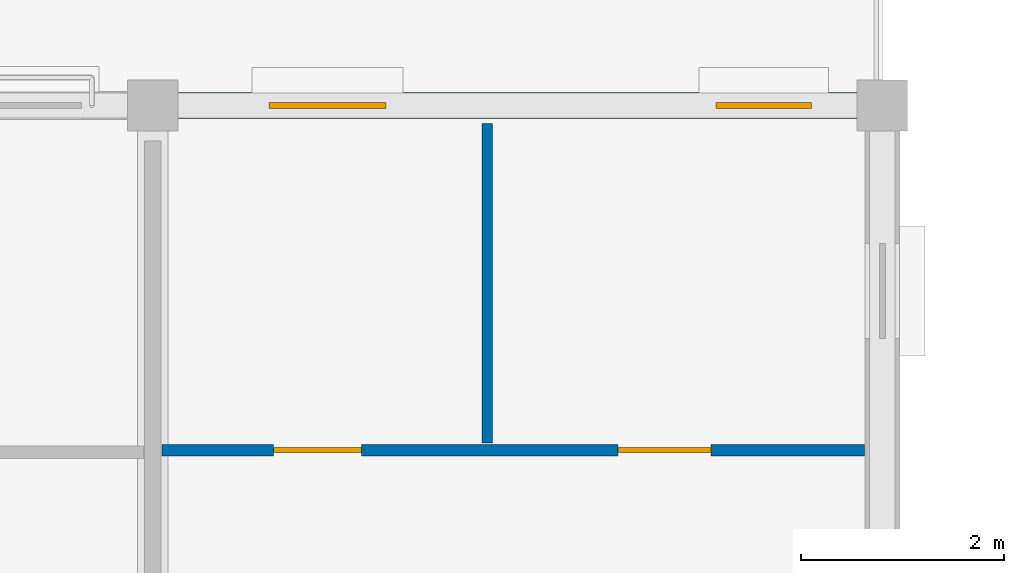
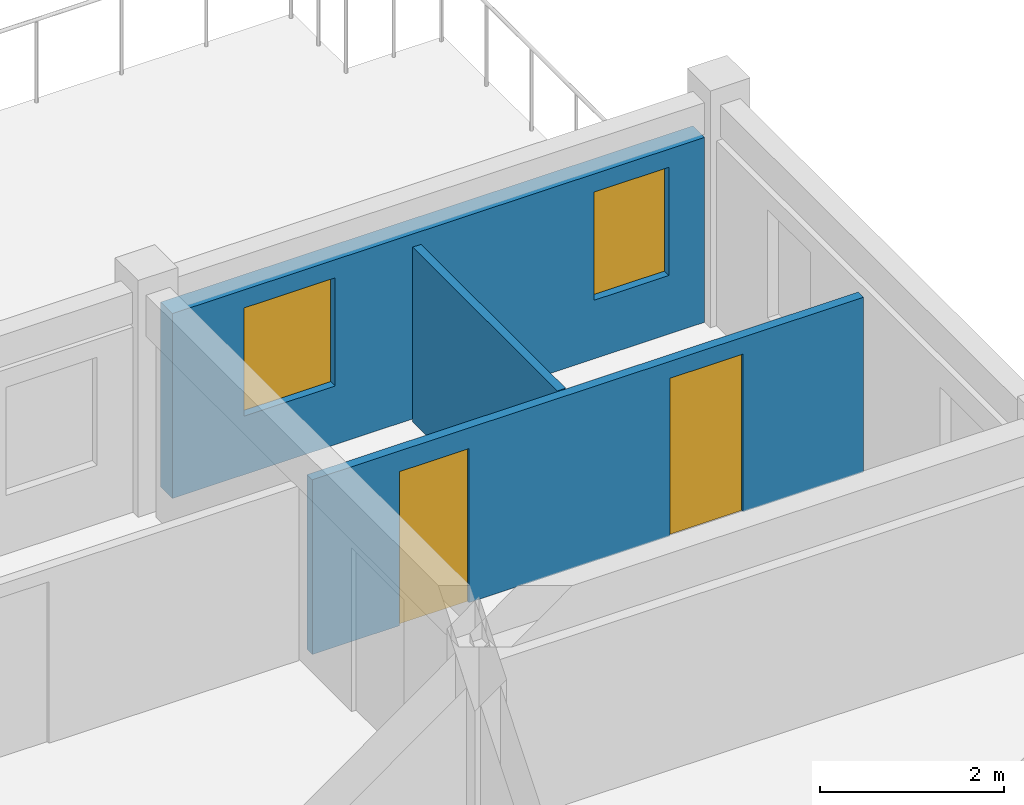
# One storey, part 25 of 38: 3 walls, 2 doors, 2 windows, 4 openings.
"""IFC4 building model written with IfcOpenShell, lengths in metres."""

import ifcopenshell
import ifcopenshell.guid

model = None  # the IFC model being written
_history = None  # IfcOwnerHistory: only IFC2X3 demands one
_inside = {}  # id of a spatial element -> (the spatial element, [elements in it])
_under = {}  # id of a project, library or spatial element -> (it, [spatial elements below it])
_declared = {}  # id of a project -> (the project, [libraries it declares])
_typed = {}  # id of a type object -> (the type object, [elements of that type])
_made_of = {}  # id of a material, layer set ... -> (it, [elements and type objects made of it])


def new_model(schema):
    """Start an empty IFC model of exactly this schema.

    Asked for "IFC4X3", IfcOpenShell would pick the latest addendum, in which some entities
    have other attributes; the version numbers below select the first issue.
    IFC2X3 requires an IfcOwnerHistory on every rooted entity: one is made here for all.
    """
    global model, _history
    if schema == "IFC4X3":
        model = ifcopenshell.file(schema_version=(4, 3, 0, 0))
    else:
        model = ifcopenshell.file(schema=schema)
    _inside.clear()
    _under.clear()
    _declared.clear()
    _typed.clear()
    _made_of.clear()
    _history = None
    if model.schema == "IFC2X3":
        org = make("IfcOrganization", Name="unknown")
        user = make(
            "IfcPersonAndOrganization",
            ThePerson=make("IfcPerson", FamilyName="unknown"),
            TheOrganization=org,
        )
        app = make(
            "IfcApplication",
            ApplicationDeveloper=org,
            Version="unknown",
            ApplicationFullName="unknown",
            ApplicationIdentifier="unknown",
        )
        _history = make(
            "IfcOwnerHistory",
            OwningUser=user,
            OwningApplication=app,
            ChangeAction="ADDED",
            CreationDate=0,
        )
    return model


def make(cls, **values):
    """One entity of the class cls with the attributes given. An attribute that is None is left unset."""
    return model.create_entity(
        cls, **{name: value for name, value in values.items() if value is not None}
    )


def rooted(cls, **values):
    """An entity with a GlobalId (a new one), such as an element, a storey or a relation."""
    return make(cls, GlobalId=ifcopenshell.guid.new(), OwnerHistory=_history, **values)


def si_unit(unit_type, name, prefix=None):
    """IfcSIUnit, for example si_unit("LENGTHUNIT", "METRE", prefix="MILLI")."""
    return make("IfcSIUnit", UnitType=unit_type, Prefix=prefix, Name=name)


def assignment(units):
    """IfcUnitAssignment: the units of a project."""
    return None if units is None else make("IfcUnitAssignment", Units=units)


def point(xyz):
    """IfcCartesianPoint."""
    return None if xyz is None else make("IfcCartesianPoint", Coordinates=xyz)


def direction(xyz):
    """IfcDirection."""
    return None if xyz is None else make("IfcDirection", DirectionRatios=xyz)


def frame(location, z_axis=None, x_axis=None):
    """IfcAxis2Placement3D, a coordinate frame: its origin and axes. An axis left out is left unset."""
    return make(
        "IfcAxis2Placement3D",
        Location=point(location),
        Axis=direction(z_axis),
        RefDirection=direction(x_axis),
    )


def frame_2d(location, x_axis=None):
    """IfcAxis2Placement2D, a coordinate frame in the plane: its origin and x axis."""
    return make(
        "IfcAxis2Placement2D", Location=point(location), RefDirection=direction(x_axis)
    )


def origin():
    """The frame at (0, 0, 0) with its axes left unset."""
    return frame((0.0, 0.0, 0.0))


def place(relative_to, where):
    """IfcLocalPlacement: puts the frame where relative to a parent placement (None: the world)."""
    return make(
        "IfcLocalPlacement", PlacementRelTo=relative_to, RelativePlacement=where
    )


def context(
    kind, dimensions, precision=None, world=None, true_north=None, identifier=None
):
    """IfcGeometricRepresentationContext, for example the 3D "Model" context."""
    return make(
        "IfcGeometricRepresentationContext",
        ContextIdentifier=identifier,
        ContextType=kind,
        CoordinateSpaceDimension=dimensions,
        Precision=precision,
        WorldCoordinateSystem=world,
        TrueNorth=true_north,
    )


def subcontext(parent, identifier, kind, view, scale=None):
    """IfcGeometricRepresentationSubContext, for example "Body" below "Model"."""
    return make(
        "IfcGeometricRepresentationSubContext",
        ContextIdentifier=identifier,
        ContextType=kind,
        ParentContext=parent,
        TargetScale=scale,
        TargetView=view,
    )


def project(units=None, contexts=None):
    """IfcProject with its units and contexts."""
    return rooted(
        "IfcProject",
        Name="project",
        RepresentationContexts=contexts,
        UnitsInContext=assignment(units),
    )


def spatial(cls, under=None, at=None, **own):
    """A site, building, storey or space (cls), placed at a placement, below another one or the project."""
    s = rooted(cls, ObjectPlacement=at, **own)
    if under is not None:
        _under.setdefault(under.id(), (under, []))[1].append(s)
    return s


def profile(cls, at=None, kind="AREA", **sizes):
    """A parametric profile (cls). Its sizes go by their IFC names, for example OverallWidth=200.0."""
    return make(cls, ProfileType=kind, Position=at, **sizes)


def rectangle(**sizes):
    """IfcRectangleProfileDef."""
    return profile("IfcRectangleProfileDef", **sizes)


def extrude(swept, where, along, depth):
    """IfcExtrudedAreaSolid: the profile swept, set in the frame where, extruded along a direction by depth."""
    return make(
        "IfcExtrudedAreaSolid",
        SweptArea=swept,
        Position=where,
        ExtrudedDirection=direction(along),
        Depth=depth,
    )


def shape(context_of_items, identifier, shape_type, items):
    """IfcShapeRepresentation: the items that make up one representation, for example the "Body"."""
    return make(
        "IfcShapeRepresentation",
        ContextOfItems=context_of_items,
        RepresentationIdentifier=identifier,
        RepresentationType=shape_type,
        Items=items,
    )


def material(Name=None, Category=None):
    """IfcMaterial."""
    return make("IfcMaterial", Name=Name, Category=Category)


def layer(
    of_material, thickness, ventilated=None, Name=None, Category=None, Priority=None
):
    """IfcMaterialLayer: one layer of a wall or slab, of a material (None: an air gap)."""
    return make(
        "IfcMaterialLayer",
        Material=of_material,
        LayerThickness=thickness,
        IsVentilated=ventilated,
        Name=Name,
        Category=Category,
        Priority=Priority,
    )


def layer_set(layers, Name=None):
    """IfcMaterialLayerSet."""
    return make("IfcMaterialLayerSet", MaterialLayers=layers, LayerSetName=Name)


def made_of(thing, what):
    """Note that an element or type object is made of a material, layer set ...; save() writes the relation."""
    if what is not None:
        _made_of.setdefault(what.id(), (what, []))[1].append(thing)
    return thing


def type_object(cls, material=None, **own):
    """A type object (cls), such as IfcWallType, which elements share."""
    return made_of(rooted(cls, **own), material)


def element(
    cls,
    number,
    at=None,
    inside=None,
    cuts=None,
    type_object=None,
    material=None,
    context=None,
    identifier="Body",
    shape_type=None,
    held_by="IfcProductDefinitionShape",
    body=None,
    shapes=None,
    **own,
):
    """One element of the class cls, such as IfcWall. Its Tag is "e" and its number.

    at: its placement. inside: the storey or other place that contains it. cuts: it is an
    opening in that element (IfcRelVoidsElement). A single representation is given by context,
    identifier, shape_type and body (its items); several are given by shapes. held_by: the class
    of the entity that holds the representations. save() writes the other relations.
    """
    e = rooted(cls, Tag="e%d" % number, ObjectPlacement=at, **own)
    if body is not None:
        shapes = [shape(context, identifier, shape_type, body)]
    if shapes is not None:
        e.Representation = make(held_by, Representations=shapes)
    if inside is not None:
        _inside.setdefault(inside.id(), (inside, []))[1].append(e)
    if cuts is not None:
        rooted(
            "IfcRelVoidsElement", RelatingBuildingElement=cuts, RelatedOpeningElement=e
        )
    if type_object is not None:
        _typed.setdefault(type_object.id(), (type_object, []))[1].append(e)
    return made_of(e, material)


def fill(opening, filler):
    """IfcRelFillsElement: the door or window that sits in an opening."""
    return rooted(
        "IfcRelFillsElement",
        RelatingOpeningElement=opening,
        RelatedBuildingElement=filler,
    )


def aggregate(whole, parts):
    """IfcRelAggregates: a whole, such as a stair, and the parts it consists of."""
    return rooted("IfcRelAggregates", RelatingObject=whole, RelatedObjects=parts)


def save(model, path):
    """Write the relations noted so far, then the file.

    IfcRelAggregates (storeys below a building ...), IfcRelContainedInSpatialStructure (elements
    in a storey), IfcRelDefinesByType, IfcRelAssociatesMaterial and IfcRelDeclares: one each for
    every whole, place, type object, material and project.
    """
    for whole, parts in _under.values():
        aggregate(whole, parts)
    for where, things in _inside.values():
        rooted(
            "IfcRelContainedInSpatialStructure",
            RelatedElements=things,
            RelatingStructure=where,
        )
    for kind, things in _typed.values():
        rooted("IfcRelDefinesByType", RelatedObjects=things, RelatingType=kind)
    for what, things in _made_of.values():
        rooted("IfcRelAssociatesMaterial", RelatedObjects=things, RelatingMaterial=what)
    for by, libraries in _declared.values():
        rooted("IfcRelDeclares", RelatingContext=by, RelatedDefinitions=libraries)
    model.write(path)


model = new_model("IFC4")

# Units and contexts
model_context = context("Model", 3, precision=1e-05, world=origin(), true_north=direction((0.0, 1.0)))
body_context = subcontext(model_context, "Body", "Model", "MODEL_VIEW")
ifc_project = project(units=[si_unit("LENGTHUNIT", "METRE"), si_unit("AREAUNIT", "SQUARE_METRE"), si_unit("VOLUMEUNIT", "CUBIC_METRE"), si_unit("PLANEANGLEUNIT", "RADIAN"), si_unit("MASSUNIT", "GRAM", prefix="KILO"), si_unit("THERMODYNAMICTEMPERATUREUNIT", "KELVIN"), si_unit("POWERUNIT", "WATT")], contexts=[model_context])

# Site, building, storey
site_placement = place(None, origin())
site = spatial("IfcSite", under=ifc_project, at=site_placement, CompositionType="ELEMENT")
building_placement = place(site_placement, origin())
building = spatial("IfcBuilding", under=site, at=building_placement, Name="Tavuni Mirador Residences", CompositionType="ELEMENT")
storey_placement = place(building_placement, frame((0.0, 0.0, 32.85009765625)))
storey = spatial("IfcBuildingStorey", under=building, at=storey_placement, Name="L10", CompositionType="ELEMENT", Elevation=32.85009765625)

# Wall, openings, windows
ifc_material_1 = material(Name="Sgraffito lime-rendered precast concrete C40/50", Category="concrete")
ifc_layer_1 = layer(ifc_material_1, 0.2548828125, Name="Sgraffito lime-rendered precast concrete C40/50", Category="concrete")
ifc_layer_set_1 = layer_set([ifc_layer_1], Name="Sgraffito lime-rendered precast concrete C40/50")
wall_type_1 = type_object("IfcWallType", Name="WT-EXT-PC255", PredefinedType="SOLIDWALL", material=ifc_layer_set_1)
wall_1_placement = place(storey_placement, frame((118.550048828125, 122.39990234375, 0.0), z_axis=(0.0, 0.0, 1.0), x_axis=(-1.0, 0.0, 0.0)))
wall_1 = element("IfcWall", 1, at=wall_1_placement, inside=storey, type_object=wall_type_1, Name="EW-BLK-D-L10-N02", PredefinedType="SOLIDWALL", context=body_context, shape_type="SweptSolid", body=[
    extrude(rectangle(XDim=6.699951171875, YDim=0.2548828125, at=frame_2d((3.35009765625, 0.0))), origin(), (0.0, 0.0, 1.0), 2.4599609375),
])
opening_1_placement = place(wall_1_placement, frame((0.449951171875, 0.0, 0.780029296875)))
opening_1 = element("IfcOpeningElement", 2, at=opening_1_placement, cuts=wall_1, Name="Opening WN-25", PredefinedType="OPENING", context=body_context, shape_type="SweptSolid", body=[
    extrude(rectangle(XDim=0.93994140625, YDim=1.43994140625, at=frame_2d((0.469970703125, 0.719970703125))), frame((0.0, 0.137451171875, 0.0), z_axis=(0.0, -1.0, 0.0), x_axis=(1.0, 0.0, 0.0)), (0.0, 0.0, 1.0), 0.27490234375),
])
opening_2_placement = place(wall_1_placement, frame((4.64990234375, 0.0, 0.780029296875)))
opening_2 = element("IfcOpeningElement", 3, at=opening_2_placement, cuts=wall_1, Name="Opening WN-27", PredefinedType="OPENING", context=body_context, shape_type="SweptSolid", body=[
    extrude(rectangle(XDim=1.14990234375, YDim=1.43994140625, at=frame_2d((0.574951171875, 0.719970703125))), frame((0.0, 0.137451171875, 0.0), z_axis=(0.0, -1.0, 0.0), x_axis=(1.0, 0.0, 0.0)), (0.0, 0.0, 1.0), 0.27490234375),
])
ifc_material_2 = material(Name="Laminated solar-control glass", Category="glass")
window_type_1 = type_object("IfcWindowType", Name="WNT-25", PartitioningType="SINGLE_PANEL", PredefinedType="WINDOW", material=ifc_material_2)
window_1_placement = place(opening_1_placement, origin())
window_1 = element("IfcWindow", 4, at=window_1_placement, inside=storey, type_object=window_type_1, Name="WIN-1814", OverallHeight=1.43994140625, OverallWidth=0.93994140625, PartitioningType="SINGLE_PANEL", PredefinedType="WINDOW", context=body_context, shape_type="SweptSolid", body=[
    extrude(rectangle(XDim=0.93994140625, YDim=1.43994140625, at=frame_2d((0.469970703125, 0.719970703125))), frame((0.0, 0.030029296875, 0.0), z_axis=(0.0, -1.0, 0.0), x_axis=(1.0, 0.0, 0.0)), (0.0, 0.0, 1.0), 0.06005859375),
])
fill(opening_1, window_1)
window_type_2 = type_object("IfcWindowType", Name="WNT-27", PartitioningType="SINGLE_PANEL", PredefinedType="WINDOW", material=ifc_material_2)
window_2_placement = place(opening_2_placement, origin())
window_2 = element("IfcWindow", 5, at=window_2_placement, inside=storey, type_object=window_type_2, Name="WIN-1815", OverallHeight=1.43994140625, OverallWidth=1.14990234375, PartitioningType="SINGLE_PANEL", PredefinedType="WINDOW", context=body_context, shape_type="SweptSolid", body=[
    extrude(rectangle(XDim=1.14990234375, YDim=1.43994140625, at=frame_2d((0.574951171875, 0.719970703125))), frame((0.0, 0.030029296875, 0.0), z_axis=(0.0, -1.0, 0.0), x_axis=(1.0, 0.0, 0.0)), (0.0, 0.0, 1.0), 0.06005859375),
])
fill(opening_2, window_2)

# Wall
ifc_material_3 = material(Name="Acoustic gypsum and concrete block partition", Category="concrete")
ifc_layer_2 = layer(ifc_material_3, 0.10498046875, Name="Acoustic gypsum and concrete block partition", Category="concrete")
ifc_layer_set_2 = layer_set([ifc_layer_2], Name="Acoustic gypsum and concrete block partition")
wall_type_2 = type_object("IfcWallType", Name="WT-PART105", PredefinedType="PARTITIONING", material=ifc_layer_set_2)
wall_2_placement = place(storey_placement, frame((114.89990234375, 119.070068359375, 0.0), z_axis=(0.0, 0.0, 1.0), x_axis=(0.0, 1.0, 0.0)))
element("IfcWall", 6, at=wall_2_placement, inside=storey, type_object=wall_type_2, Name="PW-BLK-D-L10-PF04-V", PredefinedType="PARTITIONING", context=body_context, shape_type="SweptSolid", body=[
    extrude(rectangle(XDim=3.155029296875, YDim=0.10498046875, at=frame_2d((1.57763671875, 0.0))), origin(), (0.0, 0.0, 1.0), 2.324951171875),
])

# Wall, openings, doors
ifc_layer_3 = layer(ifc_material_3, 0.114990234375, Name="Acoustic gypsum and concrete block partition", Category="concrete")
ifc_layer_set_3 = layer_set([ifc_layer_3], Name="Acoustic gypsum and concrete block partition")
wall_type_3 = type_object("IfcWallType", Name="WT-PART115", PredefinedType="PARTITIONING", material=ifc_layer_set_3)
wall_3_placement = place(storey_placement, frame((111.68994140625, 119.0, 0.0), z_axis=(0.0, 0.0, 1.0), x_axis=(1.0, 0.0, 0.0)))
wall_3 = element("IfcWall", 7, at=wall_3_placement, inside=storey, type_object=wall_type_3, Name="PW-BLK-D-L10-PF04-H", PredefinedType="PARTITIONING", context=body_context, shape_type="SweptSolid", body=[
    extrude(rectangle(XDim=6.93505859375, YDim=0.114990234375, at=frame_2d((3.467529296875, 0.0))), origin(), (0.0, 0.0, 1.0), 2.324951171875),
])
opening_3_placement = place(wall_3_placement, frame((1.10009765625, 0.0, 0.0)))
opening_3 = element("IfcOpeningElement", 8, at=opening_3_placement, cuts=wall_3, Name="Opening D-10", PredefinedType="OPENING", context=body_context, shape_type="SweptSolid", body=[
    extrude(rectangle(XDim=0.8701171875, YDim=2.050048828125, at=frame_2d((0.43505859375, 1.02490234375))), frame((0.0, 0.0673828125, 0.0), z_axis=(0.0, -1.0, 0.0), x_axis=(1.0, 0.0, 0.0)), (0.0, 0.0, 1.0), 0.135009765625),
])
opening_4_placement = place(wall_3_placement, frame((4.5, 0.0, 0.0)))
opening_4 = element("IfcOpeningElement", 9, at=opening_4_placement, cuts=wall_3, Name="Opening D-06", PredefinedType="OPENING", context=body_context, shape_type="SweptSolid", body=[
    extrude(rectangle(XDim=0.919921875, YDim=2.10009765625, at=frame_2d((0.4599609375, 1.050048828125))), frame((0.0, 0.0673828125, 0.0), z_axis=(0.0, -1.0, 0.0), x_axis=(1.0, 0.0, 0.0)), (0.0, 0.0, 1.0), 0.135009765625),
])
ifc_material_4 = material(Name="Solid core iroko timber", Category="wood")
door_type_1 = type_object("IfcDoorType", Name="DT-INT920", OperationType="NOTDEFINED", PredefinedType="DOOR", material=ifc_material_4)
door_1_placement = place(opening_4_placement, origin())
door_1 = element("IfcDoor", 10, at=door_1_placement, inside=storey, type_object=door_type_1, Name="DR-4671", OperationType="SINGLE_SWING_RIGHT", OverallHeight=2.10009765625, OverallWidth=0.919921875, PredefinedType="DOOR", context=body_context, shape_type="SweptSolid", body=[
    extrude(rectangle(XDim=0.919921875, YDim=2.10009765625, at=frame_2d((0.4599609375, 1.050048828125))), frame((0.0, 0.02490234375, 0.0), z_axis=(0.0, -1.0, 0.0), x_axis=(1.0, 0.0, 0.0)), (0.0, 0.0, 1.0), 0.050048828125),
])
fill(opening_4, door_1)
door_type_2 = type_object("IfcDoorType", Name="DT-WC870", OperationType="NOTDEFINED", PredefinedType="DOOR", material=ifc_material_4)
door_2_placement = place(opening_3_placement, origin())
door_2 = element("IfcDoor", 11, at=door_2_placement, inside=storey, type_object=door_type_2, Name="DR-4670", OperationType="SINGLE_SWING_LEFT", OverallHeight=2.050048828125, OverallWidth=0.8701171875, PredefinedType="DOOR", context=body_context, shape_type="SweptSolid", body=[
    extrude(rectangle(XDim=0.8701171875, YDim=2.050048828125, at=frame_2d((0.43505859375, 1.02490234375))), frame((0.0, 0.02490234375, 0.0), z_axis=(0.0, -1.0, 0.0), x_axis=(1.0, 0.0, 0.0)), (0.0, 0.0, 1.0), 0.050048828125),
])
fill(opening_3, door_2)

save(model, "model.ifc")
